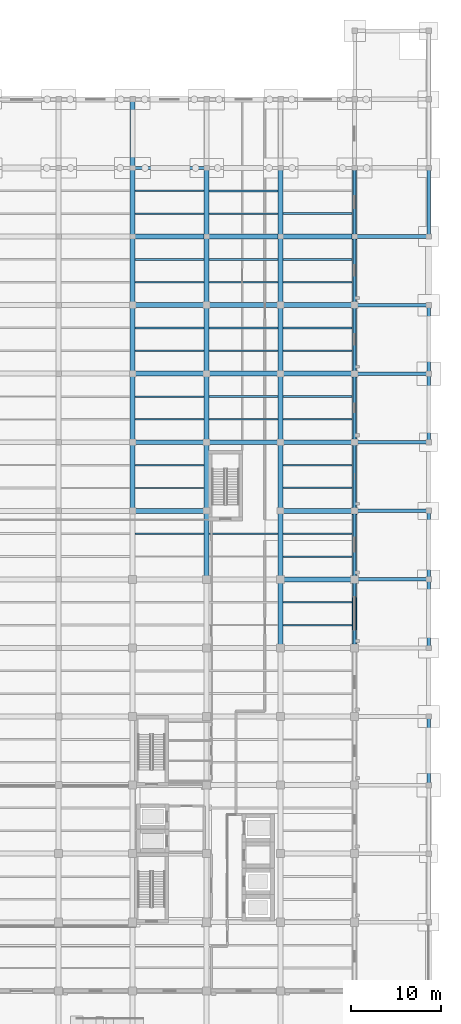
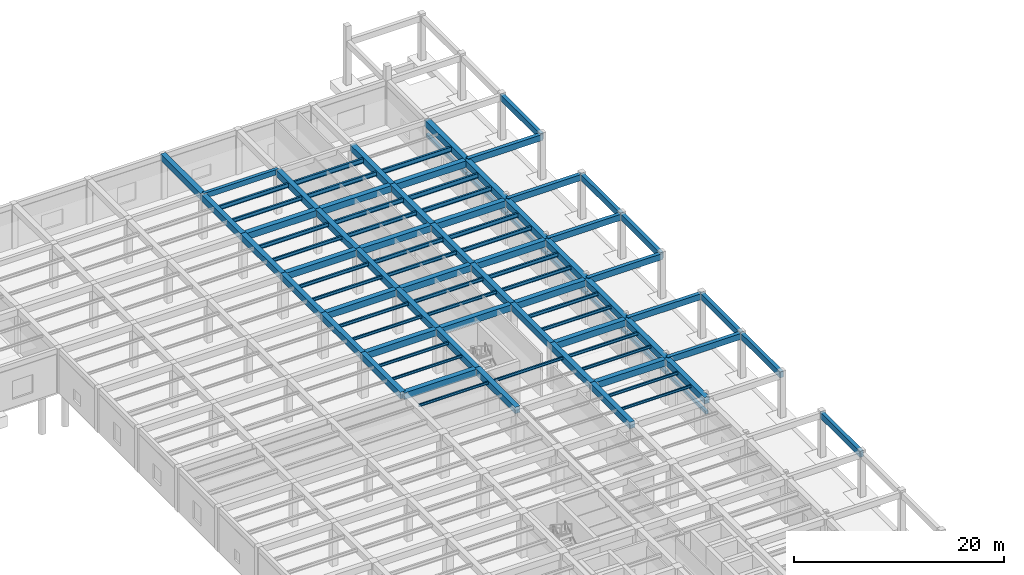
# One storey, part 32 of 64: 94 beams.
"""IFC4 building model written with IfcOpenShell, lengths in metres."""

import ifcopenshell
import ifcopenshell.guid

model = None  # the IFC model being written
_history = None  # IfcOwnerHistory: only IFC2X3 demands one
_inside = {}  # id of a spatial element -> (the spatial element, [elements in it])
_under = {}  # id of a project, library or spatial element -> (it, [spatial elements below it])
_declared = {}  # id of a project -> (the project, [libraries it declares])
_typed = {}  # id of a type object -> (the type object, [elements of that type])
_made_of = {}  # id of a material, layer set ... -> (it, [elements and type objects made of it])


def new_model(schema):
    """Start an empty IFC model of exactly this schema.

    Asked for "IFC4X3", IfcOpenShell would pick the latest addendum, in which some entities
    have other attributes; the version numbers below select the first issue.
    IFC2X3 requires an IfcOwnerHistory on every rooted entity: one is made here for all.
    """
    global model, _history
    if schema == "IFC4X3":
        model = ifcopenshell.file(schema_version=(4, 3, 0, 0))
    else:
        model = ifcopenshell.file(schema=schema)
    _inside.clear()
    _under.clear()
    _declared.clear()
    _typed.clear()
    _made_of.clear()
    _history = None
    if model.schema == "IFC2X3":
        org = make("IfcOrganization", Name="unknown")
        user = make(
            "IfcPersonAndOrganization",
            ThePerson=make("IfcPerson", FamilyName="unknown"),
            TheOrganization=org,
        )
        app = make(
            "IfcApplication",
            ApplicationDeveloper=org,
            Version="unknown",
            ApplicationFullName="unknown",
            ApplicationIdentifier="unknown",
        )
        _history = make(
            "IfcOwnerHistory",
            OwningUser=user,
            OwningApplication=app,
            ChangeAction="ADDED",
            CreationDate=0,
        )
    return model


def make(cls, **values):
    """One entity of the class cls with the attributes given. An attribute that is None is left unset."""
    return model.create_entity(
        cls, **{name: value for name, value in values.items() if value is not None}
    )


def rooted(cls, **values):
    """An entity with a GlobalId (a new one), such as an element, a storey or a relation."""
    return make(cls, GlobalId=ifcopenshell.guid.new(), OwnerHistory=_history, **values)


def si_unit(unit_type, name, prefix=None):
    """IfcSIUnit, for example si_unit("LENGTHUNIT", "METRE", prefix="MILLI")."""
    return make("IfcSIUnit", UnitType=unit_type, Prefix=prefix, Name=name)


def assignment(units):
    """IfcUnitAssignment: the units of a project."""
    return None if units is None else make("IfcUnitAssignment", Units=units)


def point(xyz):
    """IfcCartesianPoint."""
    return None if xyz is None else make("IfcCartesianPoint", Coordinates=xyz)


def direction(xyz):
    """IfcDirection."""
    return None if xyz is None else make("IfcDirection", DirectionRatios=xyz)


def frame(location, z_axis=None, x_axis=None):
    """IfcAxis2Placement3D, a coordinate frame: its origin and axes. An axis left out is left unset."""
    return make(
        "IfcAxis2Placement3D",
        Location=point(location),
        Axis=direction(z_axis),
        RefDirection=direction(x_axis),
    )


def frame_2d(location, x_axis=None):
    """IfcAxis2Placement2D, a coordinate frame in the plane: its origin and x axis."""
    return make(
        "IfcAxis2Placement2D", Location=point(location), RefDirection=direction(x_axis)
    )


def origin():
    """The frame at (0, 0, 0) with its axes left unset."""
    return frame((0.0, 0.0, 0.0))


def origin_2d():
    """The frame at (0, 0) in the plane with its x axis left unset."""
    return frame_2d((0.0, 0.0))


def place(relative_to, where):
    """IfcLocalPlacement: puts the frame where relative to a parent placement (None: the world)."""
    return make(
        "IfcLocalPlacement", PlacementRelTo=relative_to, RelativePlacement=where
    )


def context(
    kind, dimensions, precision=None, world=None, true_north=None, identifier=None
):
    """IfcGeometricRepresentationContext, for example the 3D "Model" context."""
    return make(
        "IfcGeometricRepresentationContext",
        ContextIdentifier=identifier,
        ContextType=kind,
        CoordinateSpaceDimension=dimensions,
        Precision=precision,
        WorldCoordinateSystem=world,
        TrueNorth=true_north,
    )


def subcontext(parent, identifier, kind, view, scale=None):
    """IfcGeometricRepresentationSubContext, for example "Body" below "Model"."""
    return make(
        "IfcGeometricRepresentationSubContext",
        ContextIdentifier=identifier,
        ContextType=kind,
        ParentContext=parent,
        TargetScale=scale,
        TargetView=view,
    )


def project(units=None, contexts=None):
    """IfcProject with its units and contexts."""
    return rooted(
        "IfcProject",
        Name="project",
        RepresentationContexts=contexts,
        UnitsInContext=assignment(units),
    )


def spatial(cls, under=None, at=None, **own):
    """A site, building, storey or space (cls), placed at a placement, below another one or the project."""
    s = rooted(cls, ObjectPlacement=at, **own)
    if under is not None:
        _under.setdefault(under.id(), (under, []))[1].append(s)
    return s


def profile(cls, at=None, kind="AREA", **sizes):
    """A parametric profile (cls). Its sizes go by their IFC names, for example OverallWidth=200.0."""
    return make(cls, ProfileType=kind, Position=at, **sizes)


def rectangle(**sizes):
    """IfcRectangleProfileDef."""
    return profile("IfcRectangleProfileDef", **sizes)


def i_section(**sizes):
    """IfcIShapeProfileDef."""
    return profile("IfcIShapeProfileDef", **sizes)


def extrude(swept, where, along, depth):
    """IfcExtrudedAreaSolid: the profile swept, set in the frame where, extruded along a direction by depth."""
    return make(
        "IfcExtrudedAreaSolid",
        SweptArea=swept,
        Position=where,
        ExtrudedDirection=direction(along),
        Depth=depth,
    )


def shape(context_of_items, identifier, shape_type, items):
    """IfcShapeRepresentation: the items that make up one representation, for example the "Body"."""
    return make(
        "IfcShapeRepresentation",
        ContextOfItems=context_of_items,
        RepresentationIdentifier=identifier,
        RepresentationType=shape_type,
        Items=items,
    )


def material(Name=None, Category=None):
    """IfcMaterial."""
    return make("IfcMaterial", Name=Name, Category=Category)


def material_profile(
    of_material, cross_section, Name=None, Category=None, Priority=None
):
    """IfcMaterialProfile: a cross section and its material."""
    return make(
        "IfcMaterialProfile",
        Name=Name,
        Material=of_material,
        Profile=cross_section,
        Priority=Priority,
        Category=Category,
    )


def profile_set(profiles, Name=None, composite=None):
    """IfcMaterialProfileSet."""
    return make(
        "IfcMaterialProfileSet",
        Name=Name,
        MaterialProfiles=profiles,
        CompositeProfile=composite,
    )


def made_of(thing, what):
    """Note that an element or type object is made of a material, layer set ...; save() writes the relation."""
    if what is not None:
        _made_of.setdefault(what.id(), (what, []))[1].append(thing)
    return thing


def type_object(cls, material=None, **own):
    """A type object (cls), such as IfcWallType, which elements share."""
    return made_of(rooted(cls, **own), material)


def element(
    cls,
    number,
    at=None,
    inside=None,
    cuts=None,
    type_object=None,
    material=None,
    context=None,
    identifier="Body",
    shape_type=None,
    held_by="IfcProductDefinitionShape",
    body=None,
    shapes=None,
    **own,
):
    """One element of the class cls, such as IfcWall. Its Tag is "e" and its number.

    at: its placement. inside: the storey or other place that contains it. cuts: it is an
    opening in that element (IfcRelVoidsElement). A single representation is given by context,
    identifier, shape_type and body (its items); several are given by shapes. held_by: the class
    of the entity that holds the representations. save() writes the other relations.
    """
    e = rooted(cls, Tag="e%d" % number, ObjectPlacement=at, **own)
    if body is not None:
        shapes = [shape(context, identifier, shape_type, body)]
    if shapes is not None:
        e.Representation = make(held_by, Representations=shapes)
    if inside is not None:
        _inside.setdefault(inside.id(), (inside, []))[1].append(e)
    if cuts is not None:
        rooted(
            "IfcRelVoidsElement", RelatingBuildingElement=cuts, RelatedOpeningElement=e
        )
    if type_object is not None:
        _typed.setdefault(type_object.id(), (type_object, []))[1].append(e)
    return made_of(e, material)


def aggregate(whole, parts):
    """IfcRelAggregates: a whole, such as a stair, and the parts it consists of."""
    return rooted("IfcRelAggregates", RelatingObject=whole, RelatedObjects=parts)


def save(model, path):
    """Write the relations noted so far, then the file.

    IfcRelAggregates (storeys below a building ...), IfcRelContainedInSpatialStructure (elements
    in a storey), IfcRelDefinesByType, IfcRelAssociatesMaterial and IfcRelDeclares: one each for
    every whole, place, type object, material and project.
    """
    for whole, parts in _under.values():
        aggregate(whole, parts)
    for where, things in _inside.values():
        rooted(
            "IfcRelContainedInSpatialStructure",
            RelatedElements=things,
            RelatingStructure=where,
        )
    for kind, things in _typed.values():
        rooted("IfcRelDefinesByType", RelatedObjects=things, RelatingType=kind)
    for what, things in _made_of.values():
        rooted("IfcRelAssociatesMaterial", RelatedObjects=things, RelatingMaterial=what)
    for by, libraries in _declared.values():
        rooted("IfcRelDeclares", RelatingContext=by, RelatedDefinitions=libraries)
    model.write(path)


model = new_model("IFC4")

# Units and contexts
model_context = context("Model", 3, precision=1e-05, world=origin(), true_north=direction((0.0, 1.0)))
body_context = subcontext(model_context, "Body", "Model", "MODEL_VIEW")
ifc_project = project(units=[si_unit("LENGTHUNIT", "METRE"), si_unit("AREAUNIT", "SQUARE_METRE"), si_unit("VOLUMEUNIT", "CUBIC_METRE"), si_unit("PLANEANGLEUNIT", "RADIAN"), si_unit("MASSUNIT", "GRAM", prefix="KILO")], contexts=[model_context])

# Site, building, storey
site_placement = place(None, origin())
site = spatial("IfcSite", under=ifc_project, at=site_placement, CompositionType="ELEMENT")
building_placement = place(site_placement, origin())
building = spatial("IfcBuilding", under=site, at=building_placement, Name="Qandaris Square Conservatory and Botanical Centre", CompositionType="ELEMENT")
storey_placement = place(building_placement, origin())
storey = spatial("IfcBuildingStorey", under=building, at=storey_placement, Name="L00", CompositionType="ELEMENT", Elevation=0.0)

# Beams
ifc_material_1 = material(Name="Steel S355", Category="steel")
ifc_material_profile_1 = material_profile(ifc_material_1, i_section(OverallWidth=0.18994140625, OverallDepth=0.449951171875, WebThickness=0.009521484375, FlangeThickness=0.0146484375, FilletRadius=0.02099609375, at=origin_2d()), Name="IPE 450")
ifc_profile_set_1 = profile_set([ifc_material_profile_1], Name="Steel S355")
beam_type_1 = type_object("IfcBeamType", Name="Composite Archive Joist IPE 450", PredefinedType="JOIST", material=ifc_profile_set_1)
for number, where, z_axis, x_axis, name in (
    (1, (139.47509765625, 97.666748046875, 4.864990234375), (1.0, 0.0, 0.0), (0.0, 1.0, 0.0), "L00 Composite Joist 0853"),
    (2, (139.47509765625, 102.7333984375, 4.864990234375), (1.0, 0.0, 0.0), (0.0, 1.0, 0.0), "L00 Composite Joist 0854"),
    (3, (147.675048828125, 90.066650390625, 4.864990234375), (1.0, 0.0, 0.0), (0.0, 1.0, 0.0), "L00 Composite Joist 0870"),
    (4, (147.675048828125, 95.13330078125, 4.864990234375), (1.0, 0.0, 0.0), (0.0, 1.0, 0.0), "L00 Composite Joist 0871"),
    (5, (155.875, 82.466796875, 4.864990234375), (1.0, 0.0, 0.0), (0.0, 1.0, 0.0), "L00 Composite Joist 0892"),
    (6, (155.875, 87.533203125, 4.864990234375), (1.0, 0.0, 0.0), (0.0, 1.0, 0.0), "L00 Composite Joist 0893"),
):
    element("IfcBeam", number, at=place(storey_placement, frame(where, z_axis=z_axis, x_axis=x_axis)), inside=storey, type_object=beam_type_1, Name=name, PredefinedType="JOIST", context=body_context, shape_type="SweptSolid", body=[
        extrude(i_section(OverallWidth=0.18994140625, OverallDepth=0.449951171875, WebThickness=0.009521484375, FlangeThickness=0.0146484375, FilletRadius=0.02099609375, at=origin_2d()), origin(), (0.0, 0.0, 1.0), 7.64990234375),
    ])
ifc_material_profile_2 = material_profile(ifc_material_1, i_section(OverallWidth=0.199951171875, OverallDepth=0.5, WebThickness=0.01025390625, FlangeThickness=0.01611328125, FilletRadius=0.02099609375, at=origin_2d()), Name="IPE 500")
ifc_profile_set_2 = profile_set([ifc_material_profile_2], Name="Steel S355")
beam_type_2 = type_object("IfcBeamType", Name="Composite Gallery Joist IPE 500", PredefinedType="JOIST", material=ifc_profile_set_2)
for number, where, z_axis, x_axis, name in (
    (7, (139.47509765625, 105.2666015625, 4.840087890625), (1.0, 0.0, 0.0), (0.0, 1.0, 0.0), "L00 Composite Joist 0855"),
    (8, (147.675048828125, 97.666748046875, 4.840087890625), (1.0, 0.0, 0.0), (0.0, 1.0, 0.0), "L00 Composite Joist 0872"),
    (9, (147.675048828125, 102.7333984375, 4.840087890625), (1.0, 0.0, 0.0), (0.0, 1.0, 0.0), "L00 Composite Joist 0873"),
    (10, (155.875, 90.066650390625, 4.840087890625), (1.0, 0.0, 0.0), (0.0, 1.0, 0.0), "L00 Composite Joist 0894"),
    (11, (155.875, 95.13330078125, 4.840087890625), (1.0, 0.0, 0.0), (0.0, 1.0, 0.0), "L00 Composite Joist 0895"),
):
    element("IfcBeam", number, at=place(storey_placement, frame(where, z_axis=z_axis, x_axis=x_axis)), inside=storey, type_object=beam_type_2, Name=name, PredefinedType="JOIST", context=body_context, shape_type="SweptSolid", body=[
        extrude(i_section(OverallWidth=0.199951171875, OverallDepth=0.5, WebThickness=0.01025390625, FlangeThickness=0.01611328125, FilletRadius=0.02099609375, at=origin_2d()), origin(), (0.0, 0.0, 1.0), 7.64990234375),
    ])
ifc_material_profile_3 = material_profile(ifc_material_1, i_section(OverallWidth=0.14990234375, OverallDepth=0.300048828125, WebThickness=0.007080078125, FlangeThickness=0.0107421875, FilletRadius=0.014892578125, at=origin_2d()), Name="IPE 300")
ifc_profile_set_3 = profile_set([ifc_material_profile_3], Name="Steel S355")
beam_type_3 = type_object("IfcBeamType", Name="Composite Lab Joist IPE 300", PredefinedType="JOIST", material=ifc_profile_set_3)
for number, where, z_axis, x_axis, name in (
    (12, (139.47509765625, 67.2666015625, 4.93994140625), (1.0, 0.0, 0.0), (0.0, 1.0, 0.0), "L00 Composite Joist 0845"),
    (13, (139.47509765625, 72.333251953125, 4.93994140625), (1.0, 0.0, 0.0), (0.0, 1.0, 0.0), "L00 Composite Joist 0846"),
    (14, (155.875, 57.13330078125, 4.93994140625), (1.0, 0.0, 0.0), (0.0, 1.0, 0.0), "L00 Composite Joist 0885"),
):
    element("IfcBeam", number, at=place(storey_placement, frame(where, z_axis=z_axis, x_axis=x_axis)), inside=storey, type_object=beam_type_3, Name=name, PredefinedType="JOIST", context=body_context, shape_type="SweptSolid", body=[
        extrude(i_section(OverallWidth=0.14990234375, OverallDepth=0.300048828125, WebThickness=0.007080078125, FlangeThickness=0.0107421875, FilletRadius=0.014892578125, at=origin_2d()), origin(), (0.0, 0.0, 1.0), 7.64990234375),
    ])
ifc_material_profile_4 = material_profile(ifc_material_1, i_section(OverallWidth=0.159912109375, OverallDepth=0.330078125, WebThickness=0.007568359375, FlangeThickness=0.011474609375, FilletRadius=0.01806640625, at=origin_2d()), Name="IPE 330")
ifc_profile_set_4 = profile_set([ifc_material_profile_4], Name="Steel S355")
beam_type_4 = type_object("IfcBeamType", Name="Composite Lab Joist IPE 330", PredefinedType="JOIST", material=ifc_profile_set_4)
for number, where, z_axis, x_axis, name in (
    (15, (139.47509765625, 74.86669921875, 4.925048828125), (1.0, 0.0, 0.0), (0.0, 1.0, 0.0), "L00 Composite Joist 0847"),
    (16, (139.47509765625, 79.933349609375, 4.925048828125), (1.0, 0.0, 0.0), (0.0, 1.0, 0.0), "L00 Composite Joist 0848"),
    (17, (147.675048828125, 67.2666015625, 4.925048828125), (1.0, 0.0, 0.0), (0.0, 1.0, 0.0), "L00 Composite Joist 0866"),
    (18, (155.875, 59.666748046875, 4.925048828125), (1.0, 0.0, 0.0), (0.0, 1.0, 0.0), "L00 Composite Joist 0886"),
    (19, (155.875, 64.7333984375, 4.925048828125), (1.0, 0.0, 0.0), (0.0, 1.0, 0.0), "L00 Composite Joist 0887"),
):
    element("IfcBeam", number, at=place(storey_placement, frame(where, z_axis=z_axis, x_axis=x_axis)), inside=storey, type_object=beam_type_4, Name=name, PredefinedType="JOIST", context=body_context, shape_type="SweptSolid", body=[
        extrude(i_section(OverallWidth=0.159912109375, OverallDepth=0.330078125, WebThickness=0.007568359375, FlangeThickness=0.011474609375, FilletRadius=0.01806640625, at=origin_2d()), origin(), (0.0, 0.0, 1.0), 7.64990234375),
    ])
ifc_material_profile_5 = material_profile(ifc_material_1, i_section(OverallWidth=0.169921875, OverallDepth=0.360107421875, WebThickness=0.008056640625, FlangeThickness=0.0126953125, FilletRadius=0.01806640625, at=origin_2d()), Name="IPE 360")
ifc_profile_set_5 = profile_set([ifc_material_profile_5], Name="Steel S355")
beam_type_5 = type_object("IfcBeamType", Name="Composite Lab Joist IPE 360", PredefinedType="JOIST", material=ifc_profile_set_5)
for number, where, z_axis, x_axis, name in (
    (20, (139.47509765625, 82.466796875, 4.909912109375), (1.0, 0.0, 0.0), (0.0, 1.0, 0.0), "L00 Composite Joist 0849"),
    (21, (139.47509765625, 87.533203125, 4.909912109375), (1.0, 0.0, 0.0), (0.0, 1.0, 0.0), "L00 Composite Joist 0850"),
    (22, (147.675048828125, 79.933349609375, 4.909912109375), (1.0, 0.0, 0.0), (0.0, 1.0, 0.0), "L00 Composite Joist 0867"),
    (23, (155.875, 67.2666015625, 4.909912109375), (1.0, 0.0, 0.0), (0.0, 1.0, 0.0), "L00 Composite Joist 0888"),
    (24, (155.875, 72.333251953125, 4.909912109375), (1.0, 0.0, 0.0), (0.0, 1.0, 0.0), "L00 Composite Joist 0889"),
):
    element("IfcBeam", number, at=place(storey_placement, frame(where, z_axis=z_axis, x_axis=x_axis)), inside=storey, type_object=beam_type_5, Name=name, PredefinedType="JOIST", context=body_context, shape_type="SweptSolid", body=[
        extrude(i_section(OverallWidth=0.169921875, OverallDepth=0.360107421875, WebThickness=0.008056640625, FlangeThickness=0.0126953125, FilletRadius=0.01806640625, at=origin_2d()), origin(), (0.0, 0.0, 1.0), 7.64990234375),
    ])
ifc_material_profile_6 = material_profile(ifc_material_1, i_section(OverallWidth=0.179931640625, OverallDepth=0.39990234375, WebThickness=0.008544921875, FlangeThickness=0.013427734375, FilletRadius=0.02099609375, at=origin_2d()), Name="IPE 400")
ifc_profile_set_6 = profile_set([ifc_material_profile_6], Name="Steel S355")
beam_type_6 = type_object("IfcBeamType", Name="Composite Plinth Joist IPE 400", PredefinedType="JOIST", material=ifc_profile_set_6)
for number, where, z_axis, x_axis, name in (
    (25, (139.47509765625, 90.066650390625, 4.889892578125), (1.0, 0.0, 0.0), (0.0, 1.0, 0.0), "L00 Composite Joist 0851"),
    (26, (139.47509765625, 95.13330078125, 4.889892578125), (1.0, 0.0, 0.0), (0.0, 1.0, 0.0), "L00 Composite Joist 0852"),
    (27, (147.675048828125, 82.466796875, 4.889892578125), (1.0, 0.0, 0.0), (0.0, 1.0, 0.0), "L00 Composite Joist 0868"),
    (28, (147.675048828125, 87.533203125, 4.889892578125), (1.0, 0.0, 0.0), (0.0, 1.0, 0.0), "L00 Composite Joist 0869"),
    (29, (155.875, 74.86669921875, 4.889892578125), (1.0, 0.0, 0.0), (0.0, 1.0, 0.0), "L00 Composite Joist 0890"),
    (30, (155.875, 79.933349609375, 4.889892578125), (1.0, 0.0, 0.0), (0.0, 1.0, 0.0), "L00 Composite Joist 0891"),
):
    element("IfcBeam", number, at=place(storey_placement, frame(where, z_axis=z_axis, x_axis=x_axis)), inside=storey, type_object=beam_type_6, Name=name, PredefinedType="JOIST", context=body_context, shape_type="SweptSolid", body=[
        extrude(i_section(OverallWidth=0.179931640625, OverallDepth=0.39990234375, WebThickness=0.008544921875, FlangeThickness=0.013427734375, FilletRadius=0.02099609375, at=origin_2d()), origin(), (0.0, 0.0, 1.0), 7.64990234375),
    ])
ifc_material_profile_7 = material_profile(ifc_material_1, i_section(OverallWidth=0.2099609375, OverallDepth=0.550048828125, WebThickness=0.010986328125, FlangeThickness=0.01708984375, FilletRadius=0.02392578125, at=origin_2d()), Name="IPE 550")
ifc_profile_set_7 = profile_set([ifc_material_profile_7], Name="Steel S355")
beam_type_7 = type_object("IfcBeamType", Name="Long-Span Foyer Joist IPE 550", PredefinedType="JOIST", material=ifc_profile_set_7)
for number, where, z_axis, x_axis, name in (
    (31, (147.675048828125, 105.2666015625, 4.81494140625), (1.0, 0.0, 0.0), (0.0, 1.0, 0.0), "L00 Composite Joist 0874"),
    (32, (155.875, 97.666748046875, 4.81494140625), (1.0, 0.0, 0.0), (0.0, 1.0, 0.0), "L00 Composite Joist 0896"),
    (33, (155.875, 102.7333984375, 4.81494140625), (1.0, 0.0, 0.0), (0.0, 1.0, 0.0), "L00 Composite Joist 0897"),
):
    element("IfcBeam", number, at=place(storey_placement, frame(where, z_axis=z_axis, x_axis=x_axis)), inside=storey, type_object=beam_type_7, Name=name, PredefinedType="JOIST", context=body_context, shape_type="SweptSolid", body=[
        extrude(i_section(OverallWidth=0.2099609375, OverallDepth=0.550048828125, WebThickness=0.010986328125, FlangeThickness=0.01708984375, FilletRadius=0.02392578125, at=origin_2d()), origin(), (0.0, 0.0, 1.0), 7.64990234375),
    ])
ifc_material_2 = material(Name="Precast concrete C40/50", Category="concrete")
ifc_material_profile_8 = material_profile(ifc_material_2, rectangle(XDim=0.300048828125, YDim=0.35009765625, at=origin_2d()), Name="RC-LN 300x350")
ifc_profile_set_8 = profile_set([ifc_material_profile_8], Name="Precast concrete C40/50")
beam_type_8 = type_object("IfcBeamType", Name="Precast Opening Lintel 300x350", PredefinedType="LINTEL", material=ifc_profile_set_8)
for number, where, z_axis, x_axis, name in (
    (34, (163.800048828125, 54.60009765625, 3.294921875), (0.0, 1.0, 0.0), (-1.0, 0.0, 0.0), "Precast Lintel 006"),
    (35, (163.800048828125, 69.800048828125, 3.294921875), (0.0, 1.0, 0.0), (-1.0, 0.0, 0.0), "Precast Lintel 008"),
):
    element("IfcBeam", number, at=place(storey_placement, frame(where, z_axis=z_axis, x_axis=x_axis)), inside=storey, type_object=beam_type_8, Name=name, PredefinedType="LINTEL", context=body_context, shape_type="SweptSolid", body=[
        extrude(rectangle(XDim=0.300048828125, YDim=0.35009765625, at=origin_2d()), origin(), (0.0, 0.0, 1.0), 7.599853515625),
    ])
for number, where, z_axis, x_axis, name in (
    (36, (163.800048828125, 85.0, 3.294921875), (0.0, 1.0, 0.0), (-1.0, 0.0, 0.0), "Precast Lintel 010"),
    (37, (163.800048828125, 100.199951171875, 3.294921875), (0.0, 1.0, 0.0), (-1.0, 0.0, 0.0), "Precast Lintel 012"),
):
    element("IfcBeam", number, at=place(storey_placement, frame(where, z_axis=z_axis, x_axis=x_axis)), inside=storey, type_object=beam_type_8, Name=name, PredefinedType="LINTEL", context=body_context, shape_type="SweptSolid", body=[
        extrude(rectangle(XDim=0.300048828125, YDim=0.35009765625, at=origin_2d()), origin(), (0.0, 0.0, 1.0), 7.60009765625),
    ])
ifc_material_profile_9 = material_profile(ifc_material_2, rectangle(XDim=0.35009765625, YDim=0.39990234375, at=origin_2d()), Name="RC-LN 350x400")
ifc_profile_set_9 = profile_set([ifc_material_profile_9], Name="Precast concrete C40/50")
beam_type_9 = type_object("IfcBeamType", Name="Precast Opening Lintel 350x400", PredefinedType="LINTEL", material=ifc_profile_set_9)
for number, where, z_axis, x_axis, name in (
    (38, (163.800048828125, 62.199951171875, 3.320068359375), (0.0, 1.0, 0.0), (-1.0, 0.0, 0.0), "Precast Lintel 007"),
    (39, (163.800048828125, 77.39990234375, 3.320068359375), (0.0, 1.0, 0.0), (-1.0, 0.0, 0.0), "Precast Lintel 009"),
):
    element("IfcBeam", number, at=place(storey_placement, frame(where, z_axis=z_axis, x_axis=x_axis)), inside=storey, type_object=beam_type_9, Name=name, PredefinedType="LINTEL", context=body_context, shape_type="SweptSolid", body=[
        extrude(rectangle(XDim=0.35009765625, YDim=0.39990234375, at=origin_2d()), origin(), (0.0, 0.0, 1.0), 7.60009765625),
    ])
beam_1_placement = place(storey_placement, frame((163.800048828125, 92.60009765625, 3.320068359375), z_axis=(0.0, 1.0, 0.0), x_axis=(-1.0, 0.0, 0.0)))
element("IfcBeam", 40, at=beam_1_placement, inside=storey, type_object=beam_type_9, Name="Precast Lintel 011", PredefinedType="LINTEL", context=body_context, shape_type="SweptSolid", body=[
    extrude(rectangle(XDim=0.35009765625, YDim=0.39990234375, at=origin_2d()), origin(), (0.0, 0.0, 1.0), 7.599853515625),
])
ifc_material_3 = material(Name="Concrete C50/60", Category="concrete")
ifc_material_profile_10 = material_profile(ifc_material_3, rectangle(XDim=0.39990234375, YDim=0.699951171875, at=origin_2d()), Name="RC-SP 400x700")
ifc_profile_set_10 = profile_set([ifc_material_profile_10], Name="Concrete C50/60")
beam_type_10 = type_object("IfcBeamType", Name="RC Colonnade Spandrel Beam 400x700", PredefinedType="SPANDREL", material=ifc_profile_set_10)
for number, where, z_axis, x_axis, name in (
    (41, (163.800048828125, 62.199951171875, 4.824951171875), (1.0, 0.0, 0.0), (0.0, 1.0, 0.0), "L00 Frame Beam 0418"),
    (42, (163.800048828125, 69.800048828125, 4.824951171875), (1.0, 0.0, 0.0), (0.0, 1.0, 0.0), "L00 Frame Beam 0425"),
    (43, (163.800048828125, 77.39990234375, 4.824951171875), (1.0, 0.0, 0.0), (0.0, 1.0, 0.0), "L00 Frame Beam 0433"),
    (44, (163.800048828125, 85.0, 4.824951171875), (1.0, 0.0, 0.0), (0.0, 1.0, 0.0), "L00 Frame Beam 0441"),
    (45, (163.800048828125, 92.60009765625, 4.824951171875), (1.0, 0.0, 0.0), (0.0, 1.0, 0.0), "L00 Frame Beam 0456"),
    (46, (163.800048828125, 100.199951171875, 4.824951171875), (1.0, 0.0, 0.0), (0.0, 1.0, 0.0), "L00 Frame Beam 0470"),
):
    element("IfcBeam", number, at=place(storey_placement, frame(where, z_axis=z_axis, x_axis=x_axis)), inside=storey, type_object=beam_type_10, Name=name, PredefinedType="SPANDREL", context=body_context, shape_type="SweptSolid", body=[
        extrude(rectangle(XDim=0.39990234375, YDim=0.699951171875, at=origin_2d()), origin(), (0.0, 0.0, 1.0), 8.199951171875),
    ])
beam_2_placement = place(storey_placement, frame((172.0, 39.39990234375, 4.824951171875), z_axis=(0.0, 1.0, 0.0), x_axis=(-1.0, 0.0, 0.0)))
element("IfcBeam", 47, at=beam_2_placement, inside=storey, type_object=beam_type_10, Name="L00 Frame Beam 0691", PredefinedType="SPANDREL", context=body_context, shape_type="SweptSolid", body=[
    extrude(rectangle(XDim=0.39990234375, YDim=0.699951171875, at=origin_2d()), origin(), (0.0, 0.0, 1.0), 7.60009765625),
])
beam_3_placement = place(storey_placement, frame((172.0, 54.60009765625, 4.824951171875), z_axis=(0.0, 1.0, 0.0), x_axis=(-1.0, 0.0, 0.0)))
element("IfcBeam", 48, at=beam_3_placement, inside=storey, type_object=beam_type_10, Name="L00 Frame Beam 0692", PredefinedType="SPANDREL", context=body_context, shape_type="SweptSolid", body=[
    extrude(rectangle(XDim=0.39990234375, YDim=0.699951171875, at=origin_2d()), origin(), (0.0, 0.0, 1.0), 7.599853515625),
])
for number, where, z_axis, x_axis, name in (
    (49, (172.0, 62.199951171875, 4.824951171875), (0.0, 1.0, 0.0), (-1.0, 0.0, 0.0), "L00 Frame Beam 0693"),
    (50, (172.0, 77.39990234375, 4.824951171875), (0.0, 1.0, 0.0), (-1.0, 0.0, 0.0), "L00 Frame Beam 0694"),
    (51, (172.0, 85.0, 4.824951171875), (0.0, 1.0, 0.0), (-1.0, 0.0, 0.0), "L00 Frame Beam 0695"),
    (52, (172.0, 100.199951171875, 4.824951171875), (0.0, 1.0, 0.0), (-1.0, 0.0, 0.0), "L00 Frame Beam 0696"),
):
    element("IfcBeam", number, at=place(storey_placement, frame(where, z_axis=z_axis, x_axis=x_axis)), inside=storey, type_object=beam_type_10, Name=name, PredefinedType="SPANDREL", context=body_context, shape_type="SweptSolid", body=[
        extrude(rectangle(XDim=0.39990234375, YDim=0.699951171875, at=origin_2d()), origin(), (0.0, 0.0, 1.0), 7.60009765625),
    ])
ifc_material_profile_11 = material_profile(ifc_material_3, rectangle(XDim=0.35009765625, YDim=0.60009765625, at=origin_2d()), Name="RC-SP 350x600")
ifc_profile_set_11 = profile_set([ifc_material_profile_11], Name="Concrete C50/60")
beam_type_11 = type_object("IfcBeamType", Name="RC Edge Spandrel Beam 350x600", PredefinedType="SPANDREL", material=ifc_profile_set_11)
beam_4_placement = place(storey_placement, frame((139.199951171875, 107.800048828125, 4.844970703125), z_axis=(1.0, 0.0, 0.0), x_axis=(0.0, 1.0, 0.0)))
element("IfcBeam", 53, at=beam_4_placement, inside=storey, type_object=beam_type_11, Name="L00 Frame Beam 0480", PredefinedType="SPANDREL", context=body_context, shape_type="SweptSolid", body=[
    extrude(rectangle(XDim=0.35009765625, YDim=0.60009765625, at=origin_2d()), origin(), (0.0, 0.0, 1.0), 8.199951171875),
])
ifc_material_profile_12 = material_profile(ifc_material_3, rectangle(XDim=0.550048828125, YDim=0.75, at=origin_2d()), Name="RC-BM 550x750")
ifc_profile_set_12 = profile_set([ifc_material_profile_12], Name="Concrete C50/60")
beam_type_12 = type_object("IfcBeamType", Name="RC Plinth Girder 550x750", PredefinedType="BEAM", material=ifc_profile_set_12)
for number, where, z_axis, x_axis, name in (
    (54, (155.60009765625, 62.199951171875, 4.72509765625), (1.0, 0.0, 0.0), (0.0, 1.0, 0.0), "L00 Frame Beam 0417"),
    (55, (139.199951171875, 69.800048828125, 4.72509765625), (1.0, 0.0, 0.0), (0.0, 1.0, 0.0), "L00 Frame Beam 0423"),
    (56, (155.60009765625, 69.800048828125, 4.72509765625), (1.0, 0.0, 0.0), (0.0, 1.0, 0.0), "L00 Frame Beam 0424"),
    (57, (139.199951171875, 77.39990234375, 4.72509765625), (1.0, 0.0, 0.0), (0.0, 1.0, 0.0), "L00 Frame Beam 0430"),
):
    element("IfcBeam", number, at=place(storey_placement, frame(where, z_axis=z_axis, x_axis=x_axis)), inside=storey, type_object=beam_type_12, Name=name, PredefinedType="BEAM", context=body_context, shape_type="SweptSolid", body=[
        extrude(rectangle(XDim=0.550048828125, YDim=0.75, at=origin_2d()), origin(), (0.0, 0.0, 1.0), 8.199951171875),
    ])
beam_5_placement = place(storey_placement, frame((147.39990234375, 77.39990234375, 4.72509765625), z_axis=(1.0, 0.0, 0.0), x_axis=(0.0, 1.0, 0.0)))
element("IfcBeam", 58, at=beam_5_placement, inside=storey, type_object=beam_type_12, Name="L00 Frame Beam 0431", PredefinedType="BEAM", context=body_context, shape_type="SweptSolid", body=[
    extrude(rectangle(XDim=0.550048828125, YDim=0.75, at=origin_2d()), origin(), (0.0, 0.0, 1.0), 8.2001953125),
])
for number, where, z_axis, x_axis, name in (
    (59, (155.60009765625, 77.39990234375, 4.72509765625), (1.0, 0.0, 0.0), (0.0, 1.0, 0.0), "L00 Frame Beam 0432"),
    (60, (139.199951171875, 85.0, 4.72509765625), (1.0, 0.0, 0.0), (0.0, 1.0, 0.0), "L00 Frame Beam 0438"),
):
    element("IfcBeam", number, at=place(storey_placement, frame(where, z_axis=z_axis, x_axis=x_axis)), inside=storey, type_object=beam_type_12, Name=name, PredefinedType="BEAM", context=body_context, shape_type="SweptSolid", body=[
        extrude(rectangle(XDim=0.550048828125, YDim=0.75, at=origin_2d()), origin(), (0.0, 0.0, 1.0), 8.199951171875),
    ])
beam_6_placement = place(storey_placement, frame((147.39990234375, 85.0, 4.72509765625), z_axis=(1.0, 0.0, 0.0), x_axis=(0.0, 1.0, 0.0)))
element("IfcBeam", 61, at=beam_6_placement, inside=storey, type_object=beam_type_12, Name="L00 Frame Beam 0439", PredefinedType="BEAM", context=body_context, shape_type="SweptSolid", body=[
    extrude(rectangle(XDim=0.550048828125, YDim=0.75, at=origin_2d()), origin(), (0.0, 0.0, 1.0), 8.2001953125),
])
for number, where, z_axis, x_axis, name in (
    (62, (155.60009765625, 85.0, 4.72509765625), (1.0, 0.0, 0.0), (0.0, 1.0, 0.0), "L00 Frame Beam 0440"),
    (63, (139.199951171875, 92.60009765625, 4.72509765625), (1.0, 0.0, 0.0), (0.0, 1.0, 0.0), "L00 Frame Beam 0453"),
):
    element("IfcBeam", number, at=place(storey_placement, frame(where, z_axis=z_axis, x_axis=x_axis)), inside=storey, type_object=beam_type_12, Name=name, PredefinedType="BEAM", context=body_context, shape_type="SweptSolid", body=[
        extrude(rectangle(XDim=0.550048828125, YDim=0.75, at=origin_2d()), origin(), (0.0, 0.0, 1.0), 8.199951171875),
    ])
beam_7_placement = place(storey_placement, frame((147.39990234375, 92.60009765625, 4.72509765625), z_axis=(1.0, 0.0, 0.0), x_axis=(0.0, 1.0, 0.0)))
element("IfcBeam", 64, at=beam_7_placement, inside=storey, type_object=beam_type_12, Name="L00 Frame Beam 0454", PredefinedType="BEAM", context=body_context, shape_type="SweptSolid", body=[
    extrude(rectangle(XDim=0.550048828125, YDim=0.75, at=origin_2d()), origin(), (0.0, 0.0, 1.0), 8.2001953125),
])
for number, where, z_axis, x_axis, name in (
    (65, (155.60009765625, 92.60009765625, 4.72509765625), (1.0, 0.0, 0.0), (0.0, 1.0, 0.0), "L00 Frame Beam 0455"),
    (66, (139.199951171875, 100.199951171875, 4.72509765625), (1.0, 0.0, 0.0), (0.0, 1.0, 0.0), "L00 Frame Beam 0467"),
):
    element("IfcBeam", number, at=place(storey_placement, frame(where, z_axis=z_axis, x_axis=x_axis)), inside=storey, type_object=beam_type_12, Name=name, PredefinedType="BEAM", context=body_context, shape_type="SweptSolid", body=[
        extrude(rectangle(XDim=0.550048828125, YDim=0.75, at=origin_2d()), origin(), (0.0, 0.0, 1.0), 8.199951171875),
    ])
beam_8_placement = place(storey_placement, frame((147.39990234375, 100.199951171875, 4.72509765625), z_axis=(1.0, 0.0, 0.0), x_axis=(0.0, 1.0, 0.0)))
element("IfcBeam", 67, at=beam_8_placement, inside=storey, type_object=beam_type_12, Name="L00 Frame Beam 0468", PredefinedType="BEAM", context=body_context, shape_type="SweptSolid", body=[
    extrude(rectangle(XDim=0.550048828125, YDim=0.75, at=origin_2d()), origin(), (0.0, 0.0, 1.0), 8.2001953125),
])
beam_9_placement = place(storey_placement, frame((155.60009765625, 100.199951171875, 4.72509765625), z_axis=(1.0, 0.0, 0.0), x_axis=(0.0, 1.0, 0.0)))
element("IfcBeam", 68, at=beam_9_placement, inside=storey, type_object=beam_type_12, Name="L00 Frame Beam 0469", PredefinedType="BEAM", context=body_context, shape_type="SweptSolid", body=[
    extrude(rectangle(XDim=0.550048828125, YDim=0.75, at=origin_2d()), origin(), (0.0, 0.0, 1.0), 8.199951171875),
])
beam_10_placement = place(storey_placement, frame((139.199951171875, 69.800048828125, 4.72509765625), z_axis=(0.0, 1.0, 0.0), x_axis=(-1.0, 0.0, 0.0)))
element("IfcBeam", 69, at=beam_10_placement, inside=storey, type_object=beam_type_12, Name="L00 Frame Beam 0639", PredefinedType="BEAM", context=body_context, shape_type="SweptSolid", body=[
    extrude(rectangle(XDim=0.550048828125, YDim=0.75, at=origin_2d()), origin(), (0.0, 0.0, 1.0), 7.599853515625),
])
for number, where, z_axis, x_axis, name in (
    (70, (139.199951171875, 77.39990234375, 4.72509765625), (0.0, 1.0, 0.0), (-1.0, 0.0, 0.0), "L00 Frame Beam 0640"),
    (71, (139.199951171875, 85.0, 4.72509765625), (0.0, 1.0, 0.0), (-1.0, 0.0, 0.0), "L00 Frame Beam 0641"),
):
    element("IfcBeam", number, at=place(storey_placement, frame(where, z_axis=z_axis, x_axis=x_axis)), inside=storey, type_object=beam_type_12, Name=name, PredefinedType="BEAM", context=body_context, shape_type="SweptSolid", body=[
        extrude(rectangle(XDim=0.550048828125, YDim=0.75, at=origin_2d()), origin(), (0.0, 0.0, 1.0), 7.60009765625),
    ])
beam_11_placement = place(storey_placement, frame((139.199951171875, 92.60009765625, 4.72509765625), z_axis=(0.0, 1.0, 0.0), x_axis=(-1.0, 0.0, 0.0)))
element("IfcBeam", 72, at=beam_11_placement, inside=storey, type_object=beam_type_12, Name="L00 Frame Beam 0642", PredefinedType="BEAM", context=body_context, shape_type="SweptSolid", body=[
    extrude(rectangle(XDim=0.550048828125, YDim=0.75, at=origin_2d()), origin(), (0.0, 0.0, 1.0), 7.599853515625),
])
beam_12_placement = place(storey_placement, frame((139.199951171875, 100.199951171875, 4.72509765625), z_axis=(0.0, 1.0, 0.0), x_axis=(-1.0, 0.0, 0.0)))
element("IfcBeam", 73, at=beam_12_placement, inside=storey, type_object=beam_type_12, Name="L00 Frame Beam 0643", PredefinedType="BEAM", context=body_context, shape_type="SweptSolid", body=[
    extrude(rectangle(XDim=0.550048828125, YDim=0.75, at=origin_2d()), origin(), (0.0, 0.0, 1.0), 7.60009765625),
])
beam_13_placement = place(storey_placement, frame((139.199951171875, 107.800048828125, 4.77001953125), z_axis=(0.0, 1.0, 0.0), x_axis=(-1.0, 0.0, 0.0)))
element("IfcBeam", 74, at=beam_13_placement, inside=storey, type_object=beam_type_12, Name="L00 Frame Beam 0644", PredefinedType="BEAM", context=body_context, shape_type="SweptSolid", body=[
    extrude(rectangle(XDim=0.550048828125, YDim=0.75, at=origin_2d()), origin(), (0.0, 0.0, 1.0), 7.599853515625),
])
beam_14_placement = place(storey_placement, frame((147.39990234375, 62.199951171875, 4.72509765625), z_axis=(0.0, 1.0, 0.0), x_axis=(-1.0, 0.0, 0.0)))
element("IfcBeam", 75, at=beam_14_placement, inside=storey, type_object=beam_type_12, Name="L00 Frame Beam 0652", PredefinedType="BEAM", context=body_context, shape_type="SweptSolid", body=[
    extrude(rectangle(XDim=0.550048828125, YDim=0.75, at=origin_2d()), origin(), (0.0, 0.0, 1.0), 7.60009765625),
])
beam_15_placement = place(storey_placement, frame((147.39990234375, 69.800048828125, 4.72509765625), z_axis=(0.0, 1.0, 0.0), x_axis=(-1.0, 0.0, 0.0)))
element("IfcBeam", 76, at=beam_15_placement, inside=storey, type_object=beam_type_12, Name="L00 Frame Beam 0653", PredefinedType="BEAM", context=body_context, shape_type="SweptSolid", body=[
    extrude(rectangle(XDim=0.550048828125, YDim=0.75, at=origin_2d()), origin(), (0.0, 0.0, 1.0), 7.599853515625),
])
for number, where, z_axis, x_axis, name in (
    (77, (147.39990234375, 77.39990234375, 4.72509765625), (0.0, 1.0, 0.0), (-1.0, 0.0, 0.0), "L00 Frame Beam 0654"),
    (78, (147.39990234375, 85.0, 4.72509765625), (0.0, 1.0, 0.0), (-1.0, 0.0, 0.0), "L00 Frame Beam 0655"),
):
    element("IfcBeam", number, at=place(storey_placement, frame(where, z_axis=z_axis, x_axis=x_axis)), inside=storey, type_object=beam_type_12, Name=name, PredefinedType="BEAM", context=body_context, shape_type="SweptSolid", body=[
        extrude(rectangle(XDim=0.550048828125, YDim=0.75, at=origin_2d()), origin(), (0.0, 0.0, 1.0), 7.60009765625),
    ])
beam_16_placement = place(storey_placement, frame((147.39990234375, 92.60009765625, 4.72509765625), z_axis=(0.0, 1.0, 0.0), x_axis=(-1.0, 0.0, 0.0)))
element("IfcBeam", 79, at=beam_16_placement, inside=storey, type_object=beam_type_12, Name="L00 Frame Beam 0656", PredefinedType="BEAM", context=body_context, shape_type="SweptSolid", body=[
    extrude(rectangle(XDim=0.550048828125, YDim=0.75, at=origin_2d()), origin(), (0.0, 0.0, 1.0), 7.599853515625),
])
beam_17_placement = place(storey_placement, frame((147.39990234375, 100.199951171875, 4.72509765625), z_axis=(0.0, 1.0, 0.0), x_axis=(-1.0, 0.0, 0.0)))
element("IfcBeam", 80, at=beam_17_placement, inside=storey, type_object=beam_type_12, Name="L00 Frame Beam 0657", PredefinedType="BEAM", context=body_context, shape_type="SweptSolid", body=[
    extrude(rectangle(XDim=0.550048828125, YDim=0.75, at=origin_2d()), origin(), (0.0, 0.0, 1.0), 7.60009765625),
])
beam_18_placement = place(storey_placement, frame((155.60009765625, 54.60009765625, 4.72509765625), z_axis=(0.0, 1.0, 0.0), x_axis=(-1.0, 0.0, 0.0)))
element("IfcBeam", 81, at=beam_18_placement, inside=storey, type_object=beam_type_12, Name="L00 Frame Beam 0665", PredefinedType="BEAM", context=body_context, shape_type="SweptSolid", body=[
    extrude(rectangle(XDim=0.550048828125, YDim=0.75, at=origin_2d()), origin(), (0.0, 0.0, 1.0), 7.599853515625),
])
beam_19_placement = place(storey_placement, frame((155.60009765625, 62.199951171875, 4.72509765625), z_axis=(0.0, 1.0, 0.0), x_axis=(-1.0, 0.0, 0.0)))
element("IfcBeam", 82, at=beam_19_placement, inside=storey, type_object=beam_type_12, Name="L00 Frame Beam 0666", PredefinedType="BEAM", context=body_context, shape_type="SweptSolid", body=[
    extrude(rectangle(XDim=0.550048828125, YDim=0.75, at=origin_2d()), origin(), (0.0, 0.0, 1.0), 7.60009765625),
])
beam_20_placement = place(storey_placement, frame((155.60009765625, 69.800048828125, 4.72509765625), z_axis=(0.0, 1.0, 0.0), x_axis=(-1.0, 0.0, 0.0)))
element("IfcBeam", 83, at=beam_20_placement, inside=storey, type_object=beam_type_12, Name="L00 Frame Beam 0667", PredefinedType="BEAM", context=body_context, shape_type="SweptSolid", body=[
    extrude(rectangle(XDim=0.550048828125, YDim=0.75, at=origin_2d()), origin(), (0.0, 0.0, 1.0), 7.599853515625),
])
for number, where, z_axis, x_axis, name in (
    (84, (155.60009765625, 77.39990234375, 4.72509765625), (0.0, 1.0, 0.0), (-1.0, 0.0, 0.0), "L00 Frame Beam 0668"),
    (85, (155.60009765625, 85.0, 4.72509765625), (0.0, 1.0, 0.0), (-1.0, 0.0, 0.0), "L00 Frame Beam 0669"),
):
    element("IfcBeam", number, at=place(storey_placement, frame(where, z_axis=z_axis, x_axis=x_axis)), inside=storey, type_object=beam_type_12, Name=name, PredefinedType="BEAM", context=body_context, shape_type="SweptSolid", body=[
        extrude(rectangle(XDim=0.550048828125, YDim=0.75, at=origin_2d()), origin(), (0.0, 0.0, 1.0), 7.60009765625),
    ])
beam_21_placement = place(storey_placement, frame((155.60009765625, 92.60009765625, 4.72509765625), z_axis=(0.0, 1.0, 0.0), x_axis=(-1.0, 0.0, 0.0)))
element("IfcBeam", 86, at=beam_21_placement, inside=storey, type_object=beam_type_12, Name="L00 Frame Beam 0670", PredefinedType="BEAM", context=body_context, shape_type="SweptSolid", body=[
    extrude(rectangle(XDim=0.550048828125, YDim=0.75, at=origin_2d()), origin(), (0.0, 0.0, 1.0), 7.599853515625),
])
beam_22_placement = place(storey_placement, frame((155.60009765625, 100.199951171875, 4.72509765625), z_axis=(0.0, 1.0, 0.0), x_axis=(-1.0, 0.0, 0.0)))
element("IfcBeam", 87, at=beam_22_placement, inside=storey, type_object=beam_type_12, Name="L00 Frame Beam 0671", PredefinedType="BEAM", context=body_context, shape_type="SweptSolid", body=[
    extrude(rectangle(XDim=0.550048828125, YDim=0.75, at=origin_2d()), origin(), (0.0, 0.0, 1.0), 7.60009765625),
])
beam_23_placement = place(storey_placement, frame((163.800048828125, 54.60009765625, 4.72509765625), z_axis=(0.0, 1.0, 0.0), x_axis=(-1.0, 0.0, 0.0)))
element("IfcBeam", 88, at=beam_23_placement, inside=storey, type_object=beam_type_12, Name="L00 Frame Beam 0679", PredefinedType="BEAM", context=body_context, shape_type="SweptSolid", body=[
    extrude(rectangle(XDim=0.550048828125, YDim=0.75, at=origin_2d()), origin(), (0.0, 0.0, 1.0), 7.599853515625),
])
beam_24_placement = place(storey_placement, frame((163.800048828125, 62.199951171875, 4.72509765625), z_axis=(0.0, 1.0, 0.0), x_axis=(-1.0, 0.0, 0.0)))
element("IfcBeam", 89, at=beam_24_placement, inside=storey, type_object=beam_type_12, Name="L00 Frame Beam 0680", PredefinedType="BEAM", context=body_context, shape_type="SweptSolid", body=[
    extrude(rectangle(XDim=0.550048828125, YDim=0.75, at=origin_2d()), origin(), (0.0, 0.0, 1.0), 7.60009765625),
])
beam_25_placement = place(storey_placement, frame((163.800048828125, 69.800048828125, 4.72509765625), z_axis=(0.0, 1.0, 0.0), x_axis=(-1.0, 0.0, 0.0)))
element("IfcBeam", 90, at=beam_25_placement, inside=storey, type_object=beam_type_12, Name="L00 Frame Beam 0681", PredefinedType="BEAM", context=body_context, shape_type="SweptSolid", body=[
    extrude(rectangle(XDim=0.550048828125, YDim=0.75, at=origin_2d()), origin(), (0.0, 0.0, 1.0), 7.599853515625),
])
for number, where, z_axis, x_axis, name in (
    (91, (163.800048828125, 77.39990234375, 4.72509765625), (0.0, 1.0, 0.0), (-1.0, 0.0, 0.0), "L00 Frame Beam 0682"),
    (92, (163.800048828125, 85.0, 4.72509765625), (0.0, 1.0, 0.0), (-1.0, 0.0, 0.0), "L00 Frame Beam 0683"),
):
    element("IfcBeam", number, at=place(storey_placement, frame(where, z_axis=z_axis, x_axis=x_axis)), inside=storey, type_object=beam_type_12, Name=name, PredefinedType="BEAM", context=body_context, shape_type="SweptSolid", body=[
        extrude(rectangle(XDim=0.550048828125, YDim=0.75, at=origin_2d()), origin(), (0.0, 0.0, 1.0), 7.60009765625),
    ])
beam_26_placement = place(storey_placement, frame((163.800048828125, 92.60009765625, 4.72509765625), z_axis=(0.0, 1.0, 0.0), x_axis=(-1.0, 0.0, 0.0)))
element("IfcBeam", 93, at=beam_26_placement, inside=storey, type_object=beam_type_12, Name="L00 Frame Beam 0684", PredefinedType="BEAM", context=body_context, shape_type="SweptSolid", body=[
    extrude(rectangle(XDim=0.550048828125, YDim=0.75, at=origin_2d()), origin(), (0.0, 0.0, 1.0), 7.599853515625),
])
beam_27_placement = place(storey_placement, frame((163.800048828125, 100.199951171875, 4.72509765625), z_axis=(0.0, 1.0, 0.0), x_axis=(-1.0, 0.0, 0.0)))
element("IfcBeam", 94, at=beam_27_placement, inside=storey, type_object=beam_type_12, Name="L00 Frame Beam 0685", PredefinedType="BEAM", context=body_context, shape_type="SweptSolid", body=[
    extrude(rectangle(XDim=0.550048828125, YDim=0.75, at=origin_2d()), origin(), (0.0, 0.0, 1.0), 7.60009765625),
])

save(model, "model.ifc")
